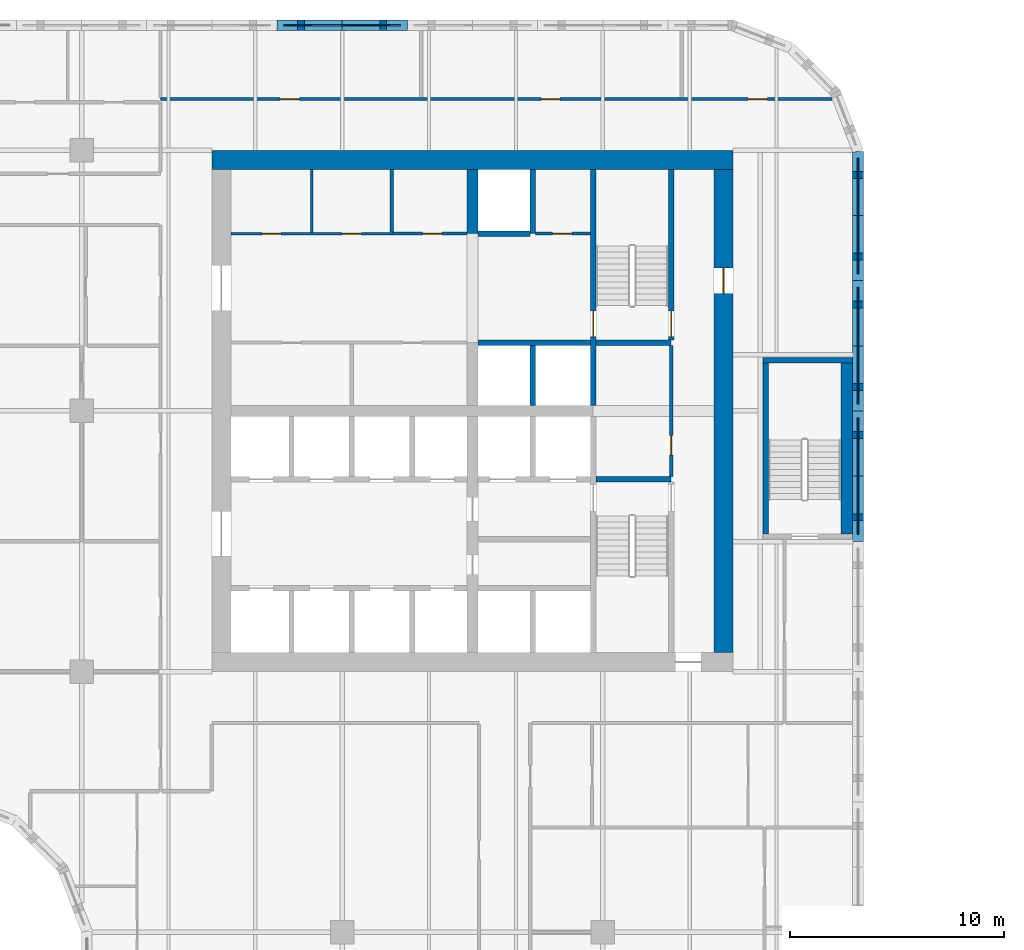
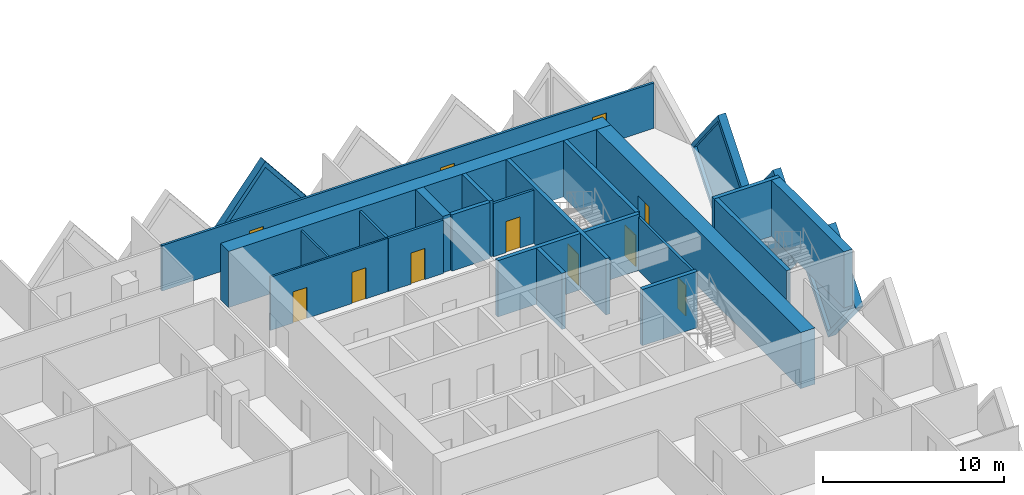
# One storey, part 10 of 19: 25 walls, 11 doors, 4 plates, 15 openings.
"""IFC4 building model written with IfcOpenShell, lengths in metres."""

import ifcopenshell
import ifcopenshell.guid

model = None  # the IFC model being written
_history = None  # IfcOwnerHistory: only IFC2X3 demands one
_inside = {}  # id of a spatial element -> (the spatial element, [elements in it])
_under = {}  # id of a project, library or spatial element -> (it, [spatial elements below it])
_declared = {}  # id of a project -> (the project, [libraries it declares])
_typed = {}  # id of a type object -> (the type object, [elements of that type])
_made_of = {}  # id of a material, layer set ... -> (it, [elements and type objects made of it])


def new_model(schema):
    """Start an empty IFC model of exactly this schema.

    Asked for "IFC4X3", IfcOpenShell would pick the latest addendum, in which some entities
    have other attributes; the version numbers below select the first issue.
    IFC2X3 requires an IfcOwnerHistory on every rooted entity: one is made here for all.
    """
    global model, _history
    if schema == "IFC4X3":
        model = ifcopenshell.file(schema_version=(4, 3, 0, 0))
    else:
        model = ifcopenshell.file(schema=schema)
    _inside.clear()
    _under.clear()
    _declared.clear()
    _typed.clear()
    _made_of.clear()
    _history = None
    if model.schema == "IFC2X3":
        org = make("IfcOrganization", Name="unknown")
        user = make(
            "IfcPersonAndOrganization",
            ThePerson=make("IfcPerson", FamilyName="unknown"),
            TheOrganization=org,
        )
        app = make(
            "IfcApplication",
            ApplicationDeveloper=org,
            Version="unknown",
            ApplicationFullName="unknown",
            ApplicationIdentifier="unknown",
        )
        _history = make(
            "IfcOwnerHistory",
            OwningUser=user,
            OwningApplication=app,
            ChangeAction="ADDED",
            CreationDate=0,
        )
    return model


def make(cls, **values):
    """One entity of the class cls with the attributes given. An attribute that is None is left unset."""
    return model.create_entity(
        cls, **{name: value for name, value in values.items() if value is not None}
    )


def rooted(cls, **values):
    """An entity with a GlobalId (a new one), such as an element, a storey or a relation."""
    return make(cls, GlobalId=ifcopenshell.guid.new(), OwnerHistory=_history, **values)


def si_unit(unit_type, name, prefix=None):
    """IfcSIUnit, for example si_unit("LENGTHUNIT", "METRE", prefix="MILLI")."""
    return make("IfcSIUnit", UnitType=unit_type, Prefix=prefix, Name=name)


def assignment(units):
    """IfcUnitAssignment: the units of a project."""
    return None if units is None else make("IfcUnitAssignment", Units=units)


def point(xyz):
    """IfcCartesianPoint."""
    return None if xyz is None else make("IfcCartesianPoint", Coordinates=xyz)


def direction(xyz):
    """IfcDirection."""
    return None if xyz is None else make("IfcDirection", DirectionRatios=xyz)


def frame(location, z_axis=None, x_axis=None):
    """IfcAxis2Placement3D, a coordinate frame: its origin and axes. An axis left out is left unset."""
    return make(
        "IfcAxis2Placement3D",
        Location=point(location),
        Axis=direction(z_axis),
        RefDirection=direction(x_axis),
    )


def frame_2d(location, x_axis=None):
    """IfcAxis2Placement2D, a coordinate frame in the plane: its origin and x axis."""
    return make(
        "IfcAxis2Placement2D", Location=point(location), RefDirection=direction(x_axis)
    )


def origin():
    """The frame at (0, 0, 0) with its axes left unset."""
    return frame((0.0, 0.0, 0.0))


def place(relative_to, where):
    """IfcLocalPlacement: puts the frame where relative to a parent placement (None: the world)."""
    return make(
        "IfcLocalPlacement", PlacementRelTo=relative_to, RelativePlacement=where
    )


def context(
    kind, dimensions, precision=None, world=None, true_north=None, identifier=None
):
    """IfcGeometricRepresentationContext, for example the 3D "Model" context."""
    return make(
        "IfcGeometricRepresentationContext",
        ContextIdentifier=identifier,
        ContextType=kind,
        CoordinateSpaceDimension=dimensions,
        Precision=precision,
        WorldCoordinateSystem=world,
        TrueNorth=true_north,
    )


def subcontext(parent, identifier, kind, view, scale=None):
    """IfcGeometricRepresentationSubContext, for example "Body" below "Model"."""
    return make(
        "IfcGeometricRepresentationSubContext",
        ContextIdentifier=identifier,
        ContextType=kind,
        ParentContext=parent,
        TargetScale=scale,
        TargetView=view,
    )


def project(units=None, contexts=None):
    """IfcProject with its units and contexts."""
    return rooted(
        "IfcProject",
        Name="project",
        RepresentationContexts=contexts,
        UnitsInContext=assignment(units),
    )


def spatial(cls, under=None, at=None, **own):
    """A site, building, storey or space (cls), placed at a placement, below another one or the project."""
    s = rooted(cls, ObjectPlacement=at, **own)
    if under is not None:
        _under.setdefault(under.id(), (under, []))[1].append(s)
    return s


def polyline(points):
    """IfcPolyline through the points."""
    return make("IfcPolyline", Points=[point(p) for p in points])


def profile(cls, at=None, kind="AREA", **sizes):
    """A parametric profile (cls). Its sizes go by their IFC names, for example OverallWidth=200.0."""
    return make(cls, ProfileType=kind, Position=at, **sizes)


def rectangle(**sizes):
    """IfcRectangleProfileDef."""
    return profile("IfcRectangleProfileDef", **sizes)


def outline(outer, holes=None, kind="AREA"):
    """IfcArbitraryClosedProfileDef: a profile drawn as a closed curve; with holes, ...WithVoids."""
    if holes is None:
        return make("IfcArbitraryClosedProfileDef", ProfileType=kind, OuterCurve=outer)
    return make(
        "IfcArbitraryProfileDefWithVoids",
        ProfileType=kind,
        OuterCurve=outer,
        InnerCurves=holes,
    )


def extrude(swept, where, along, depth):
    """IfcExtrudedAreaSolid: the profile swept, set in the frame where, extruded along a direction by depth."""
    return make(
        "IfcExtrudedAreaSolid",
        SweptArea=swept,
        Position=where,
        ExtrudedDirection=direction(along),
        Depth=depth,
    )


def faces_of(points, faces, orient=None, outer=None):
    """IfcFace entities. A face is a list of loops; a loop is a list of indices into points, from 0.

    orient and outer hold one flag for each loop. By default every Orientation is true, the
    first loop of a face is its IfcFaceOuterBound and the others are IfcFaceBound.
    """
    made = []
    for i, loops in enumerate(faces):
        bounds = []
        for j, loop in enumerate(loops):
            is_outer = j == 0 if outer is None else outer[i][j]
            bounds.append(
                make(
                    "IfcFaceOuterBound" if is_outer else "IfcFaceBound",
                    Bound=make("IfcPolyLoop", Polygon=[points[k] for k in loop]),
                    Orientation=True if orient is None else orient[i][j],
                )
            )
        made.append(make("IfcFace", Bounds=bounds))
    return made


def faceted_brep(points, faces, orient=None, outer=None, voids=None):
    """IfcFacetedBrep: a solid bounded by flat faces; with voids (closed shells), ...WithVoids."""
    shared = [point(p) for p in points]
    hull = make("IfcClosedShell", CfsFaces=faces_of(shared, faces, orient, outer))
    if voids is None:
        return make("IfcFacetedBrep", Outer=hull)
    return make(
        "IfcFacetedBrepWithVoids",
        Outer=hull,
        Voids=[
            make(cls, CfsFaces=faces_of(shared, fs, o, b)) for cls, fs, o, b in voids
        ],
    )


def shape(context_of_items, identifier, shape_type, items):
    """IfcShapeRepresentation: the items that make up one representation, for example the "Body"."""
    return make(
        "IfcShapeRepresentation",
        ContextOfItems=context_of_items,
        RepresentationIdentifier=identifier,
        RepresentationType=shape_type,
        Items=items,
    )


def source(mapping_origin, context_of_items, identifier, shape_type, items):
    """IfcRepresentationMap: a shape defined once, which mapped items show again and again."""
    return make(
        "IfcRepresentationMap",
        MappingOrigin=mapping_origin,
        MappedRepresentation=shape(context_of_items, identifier, shape_type, items),
    )


def transform(
    local_origin,
    x_axis=None,
    y_axis=None,
    z_axis=None,
    scale=None,
    scale2=None,
    scale3=None,
    uniform=True,
):
    """IfcCartesianTransformationOperator3D, or its non-uniform kind. x_axis, y_axis, z_axis: its Axis1, 2, 3."""
    if uniform:
        return make(
            "IfcCartesianTransformationOperator3D",
            Axis1=direction(x_axis),
            Axis2=direction(y_axis),
            LocalOrigin=point(local_origin),
            Scale=scale,
            Axis3=direction(z_axis),
        )
    return make(
        "IfcCartesianTransformationOperator3DnonUniform",
        Axis1=direction(x_axis),
        Axis2=direction(y_axis),
        LocalOrigin=point(local_origin),
        Scale=scale,
        Axis3=direction(z_axis),
        Scale2=scale2,
        Scale3=scale3,
    )


def mapped(mapping_source, mapping_target):
    """IfcMappedItem: shows the shape of a source again, moved by a transform."""
    return make(
        "IfcMappedItem", MappingSource=mapping_source, MappingTarget=mapping_target
    )


def material(Name=None, Category=None):
    """IfcMaterial."""
    return make("IfcMaterial", Name=Name, Category=Category)


def layer(
    of_material, thickness, ventilated=None, Name=None, Category=None, Priority=None
):
    """IfcMaterialLayer: one layer of a wall or slab, of a material (None: an air gap)."""
    return make(
        "IfcMaterialLayer",
        Material=of_material,
        LayerThickness=thickness,
        IsVentilated=ventilated,
        Name=Name,
        Category=Category,
        Priority=Priority,
    )


def layer_set(layers, Name=None):
    """IfcMaterialLayerSet."""
    return make("IfcMaterialLayerSet", MaterialLayers=layers, LayerSetName=Name)


def made_of(thing, what):
    """Note that an element or type object is made of a material, layer set ...; save() writes the relation."""
    if what is not None:
        _made_of.setdefault(what.id(), (what, []))[1].append(thing)
    return thing


def type_object(cls, material=None, **own):
    """A type object (cls), such as IfcWallType, which elements share."""
    return made_of(rooted(cls, **own), material)


def element(
    cls,
    number,
    at=None,
    inside=None,
    cuts=None,
    type_object=None,
    material=None,
    context=None,
    identifier="Body",
    shape_type=None,
    held_by="IfcProductDefinitionShape",
    body=None,
    shapes=None,
    **own,
):
    """One element of the class cls, such as IfcWall. Its Tag is "e" and its number.

    at: its placement. inside: the storey or other place that contains it. cuts: it is an
    opening in that element (IfcRelVoidsElement). A single representation is given by context,
    identifier, shape_type and body (its items); several are given by shapes. held_by: the class
    of the entity that holds the representations. save() writes the other relations.
    """
    e = rooted(cls, Tag="e%d" % number, ObjectPlacement=at, **own)
    if body is not None:
        shapes = [shape(context, identifier, shape_type, body)]
    if shapes is not None:
        e.Representation = make(held_by, Representations=shapes)
    if inside is not None:
        _inside.setdefault(inside.id(), (inside, []))[1].append(e)
    if cuts is not None:
        rooted(
            "IfcRelVoidsElement", RelatingBuildingElement=cuts, RelatedOpeningElement=e
        )
    if type_object is not None:
        _typed.setdefault(type_object.id(), (type_object, []))[1].append(e)
    return made_of(e, material)


def fill(opening, filler):
    """IfcRelFillsElement: the door or window that sits in an opening."""
    return rooted(
        "IfcRelFillsElement",
        RelatingOpeningElement=opening,
        RelatedBuildingElement=filler,
    )


def aggregate(whole, parts):
    """IfcRelAggregates: a whole, such as a stair, and the parts it consists of."""
    return rooted("IfcRelAggregates", RelatingObject=whole, RelatedObjects=parts)


def save(model, path):
    """Write the relations noted so far, then the file.

    IfcRelAggregates (storeys below a building ...), IfcRelContainedInSpatialStructure (elements
    in a storey), IfcRelDefinesByType, IfcRelAssociatesMaterial and IfcRelDeclares: one each for
    every whole, place, type object, material and project.
    """
    for whole, parts in _under.values():
        aggregate(whole, parts)
    for where, things in _inside.values():
        rooted(
            "IfcRelContainedInSpatialStructure",
            RelatedElements=things,
            RelatingStructure=where,
        )
    for kind, things in _typed.values():
        rooted("IfcRelDefinesByType", RelatedObjects=things, RelatingType=kind)
    for what, things in _made_of.values():
        rooted("IfcRelAssociatesMaterial", RelatedObjects=things, RelatingMaterial=what)
    for by, libraries in _declared.values():
        rooted("IfcRelDeclares", RelatingContext=by, RelatedDefinitions=libraries)
    model.write(path)


model = new_model("IFC4")

# Units and contexts
model_context = context("Model", 3, precision=1e-05, world=origin(), true_north=direction((0.0, 1.0)))
body_context = subcontext(model_context, "Body", "Model", "MODEL_VIEW")
ifc_project = project(units=[si_unit("LENGTHUNIT", "METRE"), si_unit("AREAUNIT", "SQUARE_METRE"), si_unit("VOLUMEUNIT", "CUBIC_METRE"), si_unit("PLANEANGLEUNIT", "RADIAN"), si_unit("MASSUNIT", "GRAM", prefix="KILO")], contexts=[model_context])

# Site, building, storey
site_placement = place(None, origin())
site = spatial("IfcSite", under=ifc_project, at=site_placement, CompositionType="ELEMENT")
building_placement = place(site_placement, origin())
building = spatial("IfcBuilding", under=site, at=building_placement, Name="Tessera Gate Towers", CompositionType="ELEMENT")
storey_placement = place(building_placement, frame((0.0, 0.0, 33.39990234375)))
storey = spatial("IfcBuildingStorey", under=building, at=storey_placement, Name="L07", CompositionType="ELEMENT", Elevation=33.39990234375)

# Wall, opening, door
ifc_material_1 = material(Name="Concrete C40/50", Category="concrete")
ifc_layer_1 = layer(ifc_material_1, 0.25)
ifc_layer_set_1 = layer_set([ifc_layer_1], Name="CORE ENCLOSURE WALL 250")
wall_type_1 = type_object("IfcWallType", Name="CORE ENCLOSURE WALL 250", PredefinedType="SOLIDWALL", material=ifc_layer_set_1)
wall_1_placement = place(storey_placement, frame((48.35009765625, 47.89990234375, 0.0), z_axis=(0.0, 0.0, 1.0), x_axis=(0.0, -1.0, 0.0)))
wall_1 = element("IfcWall", 1, at=wall_1_placement, inside=storey, type_object=wall_type_1, Name="L07 shaft and stair enclosure wall", PredefinedType="SOLIDWALL", context=body_context, shape_type="SweptSolid", body=[
    extrude(rectangle(XDim=11.0498046875, YDim=0.25, at=frame_2d((5.52490234375, 0.0))), origin(), (0.0, 0.0, 1.0), 3.800048828125),
])
shared_shape_1 = source(origin(), body_context, "Body", "SweptSolid", [
    extrude(rectangle(XDim=1.199951171875, YDim=2.10009765625, at=frame_2d((0.60009765625, 1.050048828125))), frame((0.0, 0.135009765625, 0.0), z_axis=(0.0, -1.0, 0.0), x_axis=(1.0, 0.0, 0.0)), (0.0, 0.0, 1.0), 0.27001953125),
])
opening_1_placement = place(wall_1_placement, frame((6.625, 0.0, 0.0)))
opening_1 = element("IfcOpeningElement", 2, at=opening_1_placement, cuts=wall_1, Name="Opening SD-ST2-1", PredefinedType="OPENING", context=body_context, shape_type="MappedRepresentation", body=[
    mapped(shared_shape_1, transform((0.0, 0.0, 0.0), scale=1.0)),
])
ifc_material_2 = material(Name="Hollow steel fire door", Category="steel")
door_type_1 = type_object("IfcDoorType", Name="CORE DOOR SD 1200x2100", OperationType="NOTDEFINED", PredefinedType="DOOR", material=ifc_material_2)
shared_shape_2 = source(origin(), body_context, "Body", "SweptSolid", [
    extrude(rectangle(XDim=1.199951171875, YDim=2.10009765625, at=frame_2d((0.60009765625, 1.050048828125))), frame((0.0, 0.02490234375, 0.0), z_axis=(0.0, -1.0, 0.0), x_axis=(1.0, 0.0, 0.0)), (0.0, 0.0, 1.0), 0.050048828125),
])
door_1_placement = place(opening_1_placement, origin())
door_1 = element("IfcDoor", 3, at=door_1_placement, inside=storey, type_object=door_type_1, Name="Stair door", OperationType="SINGLE_SWING_RIGHT", OverallHeight=2.10009765625, OverallWidth=1.199951171875, PredefinedType="DOOR", context=body_context, shape_type="MappedRepresentation", body=[
    mapped(shared_shape_2, transform((0.0, 0.0, 0.0), scale=1.0)),
])
fill(opening_1, door_1)

# Walls
wall_2_placement = place(storey_placement, frame((48.47509765625, 33.39990234375, 0.0), z_axis=(0.0, 0.0, 1.0), x_axis=(1.0, 0.0, 0.0)))
element("IfcWall", 4, at=wall_2_placement, inside=storey, type_object=wall_type_1, Name="L07 shaft and stair enclosure wall", PredefinedType="SOLIDWALL", context=body_context, shape_type="SweptSolid", body=[
    extrude(rectangle(XDim=3.52490234375, YDim=0.25, at=frame_2d((1.762451171875, 0.0))), origin(), (0.0, 0.0, 1.0), 3.800048828125),
])
wall_3_placement = place(storey_placement, frame((42.949951171875, 39.800048828125, 0.0), z_axis=(0.0, 0.0, 1.0), x_axis=(1.0, 0.0, 0.0)))
element("IfcWall", 5, at=wall_3_placement, inside=storey, type_object=wall_type_1, Name="L07 shaft and stair enclosure wall", PredefinedType="SOLIDWALL", context=body_context, shape_type="SweptSolid", body=[
    extrude(rectangle(XDim=5.275146484375, YDim=0.25, at=frame_2d((2.6376953125, 0.0))), origin(), (0.0, 0.0, 1.0), 3.800048828125),
])
wall_4_placement = place(storey_placement, frame((48.47509765625, 39.800048828125, 0.0), z_axis=(0.0, 0.0, 1.0), x_axis=(1.0, 0.0, 0.0)))
element("IfcWall", 6, at=wall_4_placement, inside=storey, type_object=wall_type_1, Name="L07 shaft and stair enclosure wall", PredefinedType="SOLIDWALL", context=body_context, shape_type="SweptSolid", body=[
    extrude(rectangle(XDim=3.52490234375, YDim=0.25, at=frame_2d((1.762451171875, 0.0))), origin(), (0.0, 0.0, 1.0), 3.800048828125),
])

# Wall, opening, door
wall_5_placement = place(storey_placement, frame((52.0, 39.925048828125, 0.0), z_axis=(0.0, 0.0, 1.0), x_axis=(0.0, 1.0, 0.0)))
wall_5 = element("IfcWall", 7, at=wall_5_placement, inside=storey, type_object=wall_type_1, Name="L07 shaft and stair enclosure wall", PredefinedType="SOLIDWALL", context=body_context, shape_type="SweptSolid", body=[
    extrude(rectangle(XDim=7.974853515625, YDim=0.25, at=frame_2d((3.9873046875, 0.0))), origin(), (0.0, 0.0, 1.0), 3.800048828125),
])
opening_2_placement = place(wall_5_placement, frame((0.14990234375, 0.0, 0.0)))
opening_2 = element("IfcOpeningElement", 8, at=opening_2_placement, cuts=wall_5, Name="Opening SD-ST2-2", PredefinedType="OPENING", context=body_context, shape_type="MappedRepresentation", body=[
    mapped(shared_shape_1, transform((0.0, 0.0, 0.0), scale=1.0)),
])
door_2_placement = place(opening_2_placement, origin())
door_2 = element("IfcDoor", 9, at=door_2_placement, inside=storey, type_object=door_type_1, Name="Stair door", OperationType="SINGLE_SWING_LEFT", OverallHeight=2.10009765625, OverallWidth=1.199951171875, PredefinedType="DOOR", context=body_context, shape_type="MappedRepresentation", body=[
    mapped(shared_shape_2, transform((0.0, 0.0, 0.0), scale=1.0)),
])
fill(opening_2, door_2)

# Walls
wall_6_placement = place(storey_placement, frame((45.52490234375, 36.85009765625, 0.0), z_axis=(0.0, 0.0, 1.0), x_axis=(0.0, 1.0, 0.0)))
element("IfcWall", 10, at=wall_6_placement, inside=storey, type_object=wall_type_1, Name="L07 shaft and stair enclosure wall", PredefinedType="SOLIDWALL", context=body_context, shape_type="SweptSolid", body=[
    extrude(rectangle(XDim=2.824951171875, YDim=0.25, at=frame_2d((1.41259765625, 0.0))), origin(), (0.0, 0.0, 1.0), 3.800048828125),
])
wall_7_placement = place(storey_placement, frame((45.52490234375, 44.89990234375, 0.0), z_axis=(0.0, 0.0, 1.0), x_axis=(0.0, 1.0, 0.0)))
element("IfcWall", 11, at=wall_7_placement, inside=storey, type_object=wall_type_1, Name="L07 shaft and stair enclosure wall", PredefinedType="SOLIDWALL", context=body_context, shape_type="SweptSolid", body=[
    extrude(rectangle(XDim=3.0, YDim=0.25, at=frame_2d((1.5, 0.0))), origin(), (0.0, 0.0, 1.0), 3.800048828125),
])
wall_8_placement = place(storey_placement, frame((42.949951171875, 44.89990234375, 0.0), z_axis=(0.0, 0.0, 1.0), x_axis=(1.0, 0.0, 0.0)))
element("IfcWall", 12, at=wall_8_placement, inside=storey, type_object=wall_type_1, Name="L07 shaft and stair enclosure wall", PredefinedType="SOLIDWALL", context=body_context, shape_type="SweptSolid", body=[
    extrude(rectangle(XDim=2.449951171875, YDim=0.25, at=frame_2d((1.22509765625, 0.0))), origin(), (0.0, 0.0, 1.0), 3.800048828125),
])
wall_9_placement = place(storey_placement, frame((56.425048828125, 30.85009765625, 0.0), z_axis=(0.0, 0.0, 1.0), x_axis=(0.0, 1.0, 0.0)))
element("IfcWall", 13, at=wall_9_placement, inside=storey, type_object=wall_type_1, Name="L07 ST5 enclosure wall", PredefinedType="SOLIDWALL", context=body_context, shape_type="SweptSolid", body=[
    extrude(rectangle(XDim=8.0, YDim=0.25, at=frame_2d((4.0, 0.0))), origin(), (0.0, 0.0, 1.0), 3.800048828125),
])
wall_10_placement = place(storey_placement, frame((56.300048828125, 38.97509765625, 0.0), z_axis=(0.0, 0.0, 1.0), x_axis=(1.0, 0.0, 0.0)))
element("IfcWall", 14, at=wall_10_placement, inside=storey, type_object=wall_type_1, Name="L07 ST5 enclosure wall", PredefinedType="SOLIDWALL", context=body_context, shape_type="SweptSolid", body=[
    extrude(rectangle(XDim=4.199951171875, YDim=0.25, at=frame_2d((2.10009765625, 0.0))), origin(), (0.0, 0.0, 1.0), 3.800048828125),
])
ifc_material_3 = material(Name="Concrete C40/50", Category="concrete")
ifc_layer_2 = layer(ifc_material_3, 0.550048828125)
ifc_layer_set_2 = layer_set([ifc_layer_2], Name="CORE ENCLOSURE WALL 550")
wall_type_2 = type_object("IfcWallType", Name="CORE ENCLOSURE WALL 550", PredefinedType="SOLIDWALL", material=ifc_layer_set_2)
wall_11_placement = place(storey_placement, frame((60.22509765625, 38.85009765625, 0.0), z_axis=(0.0, 0.0, 1.0), x_axis=(0.0, -1.0, 0.0)))
element("IfcWall", 15, at=wall_11_placement, inside=storey, type_object=wall_type_2, Name="L07 ST5 enclosure wall", PredefinedType="SOLIDWALL", context=body_context, shape_type="SweptSolid", body=[
    extrude(rectangle(XDim=8.0, YDim=0.550048828125, at=frame_2d((4.0, 0.0))), origin(), (0.0, 0.0, 1.0), 3.800048828125),
])

# Wall, openings, doors
ifc_material_4 = material(Name="Gypsum board on steel studs", Category="steel")
ifc_layer_3 = layer(ifc_material_4, 0.1201171875)
ifc_layer_set_3 = layer_set([ifc_layer_3], Name="CORE PARTITION 120")
wall_type_3 = type_object("IfcWallType", Name="CORE PARTITION 120", PredefinedType="PARTITIONING", material=ifc_layer_set_3)
wall_12_placement = place(storey_placement, frame((31.39990234375, 44.89990234375, 0.0), z_axis=(0.0, 0.0, 1.0), x_axis=(1.0, 0.0, 0.0)))
wall_12 = element("IfcWall", 16, at=wall_12_placement, inside=storey, type_object=wall_type_3, Name="L07 core partition", PredefinedType="PARTITIONING", context=body_context, shape_type="SweptSolid", body=[
    extrude(rectangle(XDim=7.525146484375, YDim=0.1201171875, at=frame_2d((3.7626953125, 0.0))), origin(), (0.0, 0.0, 1.0), 3.60009765625),
])
shared_shape_3 = source(origin(), body_context, "Body", "SweptSolid", [
    extrude(rectangle(XDim=0.89990234375, YDim=2.10009765625, at=frame_2d((0.449951171875, 1.050048828125))), frame((0.0, 0.070068359375, 0.0), z_axis=(0.0, -1.0, 0.0), x_axis=(1.0, 0.0, 0.0)), (0.0, 0.0, 1.0), 0.14013671875),
])
opening_3_placement = place(wall_12_placement, frame((1.4375, 0.0, 0.0)))
opening_3 = element("IfcOpeningElement", 17, at=opening_3_placement, cuts=wall_12, Name="Opening RD-T1-07-09", PredefinedType="OPENING", context=body_context, shape_type="MappedRepresentation", body=[
    mapped(shared_shape_3, transform((0.0, 0.0, 0.0), scale=1.0)),
])
opening_4_placement = place(wall_12_placement, frame((5.199951171875, 0.0, 0.0)))
opening_4 = element("IfcOpeningElement", 18, at=opening_4_placement, cuts=wall_12, Name="Opening RD-T1-07-10", PredefinedType="OPENING", context=body_context, shape_type="MappedRepresentation", body=[
    mapped(shared_shape_3, transform((0.0, 0.0, 0.0), scale=1.0)),
])
ifc_material_5 = material(Name="Hollow steel fire door", Category="steel")
door_type_2 = type_object("IfcDoorType", Name="CORE DOOR RD 900x2100", OperationType="NOTDEFINED", PredefinedType="DOOR", material=ifc_material_5)
shared_shape_4 = source(origin(), body_context, "Body", "SweptSolid", [
    extrude(rectangle(XDim=0.89990234375, YDim=2.10009765625, at=frame_2d((0.449951171875, 1.050048828125))), frame((0.0, 0.02490234375, 0.0), z_axis=(0.0, -1.0, 0.0), x_axis=(1.0, 0.0, 0.0)), (0.0, 0.0, 1.0), 0.050048828125),
])
door_3_placement = place(opening_3_placement, origin())
door_3 = element("IfcDoor", 19, at=door_3_placement, inside=storey, type_object=door_type_2, Name="Core room door", OperationType="SINGLE_SWING_LEFT", OverallHeight=2.10009765625, OverallWidth=0.89990234375, PredefinedType="DOOR", context=body_context, shape_type="MappedRepresentation", body=[
    mapped(shared_shape_4, transform((0.0, 0.0, 0.0), scale=1.0)),
])
fill(opening_3, door_3)
door_4_placement = place(opening_4_placement, origin())
door_4 = element("IfcDoor", 20, at=door_4_placement, inside=storey, type_object=door_type_2, Name="Core room door", OperationType="SINGLE_SWING_RIGHT", OverallHeight=2.10009765625, OverallWidth=0.89990234375, PredefinedType="DOOR", context=body_context, shape_type="MappedRepresentation", body=[
    mapped(shared_shape_4, transform((0.0, 0.0, 0.0), scale=1.0)),
])
fill(opening_4, door_4)

# Walls
wall_13_placement = place(storey_placement, frame((35.175048828125, 44.9599609375, 0.0), z_axis=(0.0, 0.0, 1.0), x_axis=(0.0, 1.0, 0.0)))
element("IfcWall", 21, at=wall_13_placement, inside=storey, type_object=wall_type_3, Name="L07 core partition", PredefinedType="PARTITIONING", context=body_context, shape_type="SweptSolid", body=[
    extrude(rectangle(XDim=2.93994140625, YDim=0.1201171875, at=frame_2d((1.469970703125, 0.0))), origin(), (0.0, 0.0, 1.0), 3.60009765625),
])
ifc_material_6 = material(Name="Concrete C70/85", Category="concrete")
ifc_layer_4 = layer(ifc_material_6, 0.89990234375)
ifc_layer_set_4 = layer_set([ifc_layer_4], Name="CORE SHEAR WALL 900 C70/85")
wall_type_4 = type_object("IfcWallType", Name="CORE SHEAR WALL 900 C70/85", PredefinedType="SHEAR", material=ifc_layer_set_4)
wall_14_placement = place(storey_placement, frame((30.5, 48.35009765625, 0.0), z_axis=(0.0, 0.0, 1.0), x_axis=(1.0, 0.0, 0.0)))
element("IfcWall", 22, at=wall_14_placement, inside=storey, type_object=wall_type_4, Name="Core wall N L07", PredefinedType="SHEAR", context=body_context, shape_type="SweptSolid", body=[
    extrude(rectangle(XDim=24.39990234375, YDim=0.89990234375, at=frame_2d((12.199951171875, 0.0))), origin(), (0.0, 0.0, 1.0), 3.800048828125),
])

# Wall, opening, door
wall_15_placement = place(storey_placement, frame((54.449951171875, 47.89990234375, 0.0), z_axis=(0.0, 0.0, 1.0), x_axis=(0.0, -1.0, 0.0)))
wall_15 = element("IfcWall", 23, at=wall_15_placement, inside=storey, type_object=wall_type_4, Name="Core wall E L07", PredefinedType="SHEAR", context=body_context, shape_type="SweptSolid", body=[
    extrude(rectangle(XDim=22.599853515625, YDim=0.89990234375, at=frame_2d((11.2998046875, 0.0))), origin(), (0.0, 0.0, 1.0), 3.800048828125),
])
shared_shape_5 = source(origin(), body_context, "Body", "SweptSolid", [
    extrude(rectangle(XDim=1.199951171875, YDim=2.10009765625, at=frame_2d((0.60009765625, 1.050048828125))), frame((0.0, 0.4599609375, 0.0), z_axis=(0.0, -1.0, 0.0), x_axis=(1.0, 0.0, 0.0)), (0.0, 0.0, 1.0), 0.919921875),
])
opening_5_placement = place(wall_15_placement, frame((4.60009765625, 0.0, 0.0)))
opening_5 = element("IfcOpeningElement", 24, at=opening_5_placement, cuts=wall_15, Name="Opening ED-T1-07-04", PredefinedType="OPENING", context=body_context, shape_type="MappedRepresentation", body=[
    mapped(shared_shape_5, transform((0.0, 0.0, 0.0), scale=1.0)),
])
ifc_material_7 = material(Name="Hollow steel fire door", Category="steel")
door_type_3 = type_object("IfcDoorType", Name="CORE DOOR ED 1200x2100", OperationType="NOTDEFINED", PredefinedType="DOOR", material=ifc_material_7)
door_5_placement = place(opening_5_placement, origin())
door_5 = element("IfcDoor", 25, at=door_5_placement, inside=storey, type_object=door_type_3, Name="Core exit door", OperationType="SINGLE_SWING_LEFT", OverallHeight=2.10009765625, OverallWidth=1.199951171875, PredefinedType="DOOR", context=body_context, shape_type="MappedRepresentation", body=[
    mapped(shared_shape_2, transform((0.0, 0.0, 0.0), scale=1.0)),
])
fill(opening_5, door_5)

# Wall
ifc_material_8 = material(Name="Concrete C70/85", Category="concrete")
ifc_layer_5 = layer(ifc_material_8, 0.5)
ifc_layer_set_5 = layer_set([ifc_layer_5], Name="CORE SPINE WALL 500 C70/85")
wall_type_5 = type_object("IfcWallType", Name="CORE SPINE WALL 500 C70/85", PredefinedType="SHEAR", material=ifc_layer_set_5)
wall_16_placement = place(storey_placement, frame((42.699951171875, 44.89990234375, 0.0), z_axis=(0.0, 0.0, 1.0), x_axis=(0.0, 1.0, 0.0)))
element("IfcWall", 26, at=wall_16_placement, inside=storey, type_object=wall_type_5, Name="Core wall spine L07", PredefinedType="SHEAR", context=body_context, shape_type="SweptSolid", body=[
    extrude(rectangle(XDim=3.0, YDim=0.5, at=frame_2d((1.5, 0.0))), origin(), (0.0, 0.0, 1.0), 3.800048828125),
])

# Wall, openings, doors
ifc_material_9 = material(Name="Gypsum board on steel studs, mineral wool", Category="steel")
ifc_layer_6 = layer(ifc_material_9, 0.14990234375)
ifc_layer_set_6 = layer_set([ifc_layer_6], Name="CORRIDOR WALL 150")
wall_type_6 = type_object("IfcWallType", Name="CORRIDOR WALL 150", PredefinedType="PARTITIONING", material=ifc_layer_set_6)
wall_17_placement = place(storey_placement, frame((28.10009765625, 51.199951171875, 0.0), z_axis=(0.0, 0.0, 1.0), x_axis=(1.0, 0.0, 0.0)))
wall_17 = element("IfcWall", 27, at=wall_17_placement, inside=storey, type_object=wall_type_6, Name="T1-L07-PW-054", PredefinedType="PARTITIONING", context=body_context, shape_type="SweptSolid", body=[
    extrude(rectangle(XDim=31.438232421875, YDim=0.14990234375, at=frame_2d((15.71923828125, 0.0))), origin(), (0.0, 0.0, 1.0), 3.067138671875),
])
shared_shape_6 = source(origin(), body_context, "Body", "SweptSolid", [
    extrude(rectangle(XDim=0.89990234375, YDim=2.10009765625, at=frame_2d((0.449951171875, 1.050048828125))), frame((0.0, 0.0849609375, 0.0), z_axis=(0.0, -1.0, 0.0), x_axis=(1.0, 0.0, 0.0)), (0.0, 0.0, 1.0), 0.169921875),
])
opening_6_placement = place(wall_17_placement, frame((27.5009765625, 0.0, 0.0)))
opening_6 = element("IfcOpeningElement", 28, at=opening_6_placement, cuts=wall_17, Name="Opening D890FD60-A02-04", PredefinedType="OPENING", context=body_context, shape_type="MappedRepresentation", body=[
    mapped(shared_shape_6, transform((0.0, 0.0, 0.0), scale=1.0)),
])
opening_7_placement = place(wall_17_placement, frame((5.60009765625, 0.0, 0.0)))
opening_7 = element("IfcOpeningElement", 29, at=opening_7_placement, cuts=wall_17, Name="Opening D890FD60-A02-07", PredefinedType="OPENING", context=body_context, shape_type="MappedRepresentation", body=[
    mapped(shared_shape_6, transform((0.0, 0.0, 0.0), scale=1.0)),
])
opening_8_placement = place(wall_17_placement, frame((17.800048828125, 0.0, 0.0)))
opening_8 = element("IfcOpeningElement", 30, at=opening_8_placement, cuts=wall_17, Name="Opening D890FD60-A02-08", PredefinedType="OPENING", context=body_context, shape_type="MappedRepresentation", body=[
    mapped(shared_shape_6, transform((0.0, 0.0, 0.0), scale=1.0)),
])
ifc_material_10 = material(Name="Timber door leaf in steel frame", Category="steel")
door_type_4 = type_object("IfcDoorType", Name="CORRIDOR DOOR 900 FD60", OperationType="NOTDEFINED", PredefinedType="DOOR", material=ifc_material_10)
door_6_placement = place(opening_6_placement, origin())
door_6 = element("IfcDoor", 31, at=door_6_placement, inside=storey, type_object=door_type_4, Name="T1-L07-PD-021", OperationType="SINGLE_SWING_LEFT", OverallHeight=2.10009765625, OverallWidth=0.89990234375, PredefinedType="DOOR", context=body_context, shape_type="MappedRepresentation", body=[
    mapped(shared_shape_4, transform((0.0, 0.0, 0.0), scale=1.0)),
])
fill(opening_6, door_6)
door_7_placement = place(opening_7_placement, origin())
door_7 = element("IfcDoor", 32, at=door_7_placement, inside=storey, type_object=door_type_4, Name="T1-L07-PD-028", OperationType="SINGLE_SWING_LEFT", OverallHeight=2.10009765625, OverallWidth=0.89990234375, PredefinedType="DOOR", context=body_context, shape_type="MappedRepresentation", body=[
    mapped(shared_shape_4, transform((0.0, 0.0, 0.0), scale=1.0)),
])
fill(opening_7, door_7)
door_8_placement = place(opening_8_placement, origin())
door_8 = element("IfcDoor", 33, at=door_8_placement, inside=storey, type_object=door_type_4, Name="T1-L07-PD-030", OperationType="SINGLE_SWING_LEFT", OverallHeight=2.10009765625, OverallWidth=0.89990234375, PredefinedType="DOOR", context=body_context, shape_type="MappedRepresentation", body=[
    mapped(shared_shape_4, transform((0.0, 0.0, 0.0), scale=1.0)),
])
fill(opening_8, door_8)

# Wall, opening, door
ifc_material_11 = material(Name="Gypsum board on steel studs", Category="steel")
ifc_layer_7 = layer(ifc_material_11, 0.14990234375)
ifc_layer_set_7 = layer_set([ifc_layer_7], Name="SERVICE ROOM WALL 150")
wall_type_7 = type_object("IfcWallType", Name="SERVICE ROOM WALL 150", PredefinedType="PARTITIONING", material=ifc_layer_set_7)
wall_18_placement = place(storey_placement, frame((52.0, 33.52490234375, 0.0), z_axis=(0.0, 0.0, 1.0), x_axis=(0.0, 1.0, 0.0)))
wall_18 = element("IfcWall", 34, at=wall_18_placement, inside=storey, type_object=wall_type_7, Name="L07 service room wall", PredefinedType="PARTITIONING", context=body_context, shape_type="SweptSolid", body=[
    extrude(rectangle(XDim=6.150146484375, YDim=0.14990234375, at=frame_2d((3.0751953125, 0.0))), origin(), (0.0, 0.0, 1.0), 3.60009765625),
])
opening_9_placement = place(wall_18_placement, frame((1.02490234375, 0.0, 0.0)))
opening_9 = element("IfcOpeningElement", 35, at=opening_9_placement, cuts=wall_18, Name="Opening RD-T1-07-11", PredefinedType="OPENING", context=body_context, shape_type="MappedRepresentation", body=[
    mapped(shared_shape_6, transform((0.0, 0.0, 0.0), scale=1.0)),
])
door_9_placement = place(opening_9_placement, origin())
door_9 = element("IfcDoor", 36, at=door_9_placement, inside=storey, type_object=door_type_2, Name="Core room door", OperationType="SINGLE_SWING_LEFT", OverallHeight=2.10009765625, OverallWidth=0.89990234375, PredefinedType="DOOR", context=body_context, shape_type="MappedRepresentation", body=[
    mapped(shared_shape_4, transform((0.0, 0.0, 0.0), scale=1.0)),
])
fill(opening_9, door_9)

wall_19_placement = place(storey_placement, frame((38.925048828125, 44.89990234375, 0.0), z_axis=(0.0, 0.0, 1.0), x_axis=(1.0, 0.0, 0.0)))
wall_19 = element("IfcWall", 37, at=wall_19_placement, inside=storey, type_object=wall_type_7, Name="L07 service room wall", PredefinedType="PARTITIONING", context=body_context, shape_type="SweptSolid", body=[
    extrude(rectangle(XDim=3.52490234375, YDim=0.14990234375, at=frame_2d((1.762451171875, 0.0))), origin(), (0.0, 0.0, 1.0), 3.60009765625),
])
opening_10_placement = place(wall_19_placement, frame((1.4375, 0.0, 0.0)))
opening_10 = element("IfcOpeningElement", 38, at=opening_10_placement, cuts=wall_19, Name="Opening RD-T1-07-12", PredefinedType="OPENING", context=body_context, shape_type="MappedRepresentation", body=[
    mapped(shared_shape_6, transform((0.0, 0.0, 0.0), scale=1.0)),
])
door_10_placement = place(opening_10_placement, origin())
door_10 = element("IfcDoor", 39, at=door_10_placement, inside=storey, type_object=door_type_2, Name="Core room door", OperationType="SINGLE_SWING_RIGHT", OverallHeight=2.10009765625, OverallWidth=0.89990234375, PredefinedType="DOOR", context=body_context, shape_type="MappedRepresentation", body=[
    mapped(shared_shape_4, transform((0.0, 0.0, 0.0), scale=1.0)),
])
fill(opening_10, door_10)

# Wall
wall_20_placement = place(storey_placement, frame((38.925048828125, 44.97509765625, 0.0), z_axis=(0.0, 0.0, 1.0), x_axis=(0.0, 1.0, 0.0)))
element("IfcWall", 40, at=wall_20_placement, inside=storey, type_object=wall_type_7, Name="L07 service room wall", PredefinedType="PARTITIONING", context=body_context, shape_type="SweptSolid", body=[
    extrude(rectangle(XDim=2.9248046875, YDim=0.14990234375, at=frame_2d((1.46240234375, 0.0))), origin(), (0.0, 0.0, 1.0), 3.60009765625),
])

# Wall, opening, door
wall_21_placement = place(storey_placement, frame((45.64990234375, 44.89990234375, 0.0), z_axis=(0.0, 0.0, 1.0), x_axis=(1.0, 0.0, 0.0)))
wall_21 = element("IfcWall", 41, at=wall_21_placement, inside=storey, type_object=wall_type_7, Name="L07 service room wall", PredefinedType="PARTITIONING", context=body_context, shape_type="SweptSolid", body=[
    extrude(rectangle(XDim=2.5751953125, YDim=0.14990234375, at=frame_2d((1.28759765625, 0.0))), origin(), (0.0, 0.0, 1.0), 3.60009765625),
])
opening_11_placement = place(wall_21_placement, frame((0.800048828125, 0.0, 0.0)))
opening_11 = element("IfcOpeningElement", 42, at=opening_11_placement, cuts=wall_21, Name="Opening RD-T1-07-13", PredefinedType="OPENING", context=body_context, shape_type="MappedRepresentation", body=[
    mapped(shared_shape_6, transform((0.0, 0.0, 0.0), scale=1.0)),
])
door_11_placement = place(opening_11_placement, origin())
door_11 = element("IfcDoor", 43, at=door_11_placement, inside=storey, type_object=door_type_2, Name="Core room door", OperationType="SINGLE_SWING_LEFT", OverallHeight=2.10009765625, OverallWidth=0.89990234375, PredefinedType="DOOR", context=body_context, shape_type="MappedRepresentation", body=[
    mapped(shared_shape_4, transform((0.0, 0.0, 0.0), scale=1.0)),
])
fill(opening_11, door_11)

# Wall, opening, plate
ifc_material_12 = material(Name="Precast concrete C60/75 white", Category="concrete")
ifc_layer_8 = layer(ifc_material_12, 0.5)
ifc_layer_set_8 = layer_set([ifc_layer_8], Name="TS1 tessera")
wall_type_8 = type_object("IfcWallType", Name="TS1 tessera", PredefinedType="SOLIDWALL", material=ifc_layer_set_8)
shared_shape_7 = source(origin(), body_context, "Body", "Brep", [
    faceted_brep([(3.050048828125, -0.25, 0.0), (6.099853515625, -0.25, 3.799560546875), (6.099853515625, -0.25, 3.800048828125), (3.050048828125, -0.25, 7.599853515625), (0.0, -0.25, 3.7998046875), (0.0, 0.25, 3.7998046875), (3.050048828125, 0.25, 7.599853515625), (6.099853515625, 0.25, 3.800048828125), (6.099853515625, 0.25, 3.799560546875), (3.050048828125, 0.25, 0.0)], [[[0, 1, 2, 3, 4]], [[5, 6, 7, 8, 9]], [[9, 8, 1, 0]], [[7, 6, 3, 2]], [[6, 5, 4, 3]], [[5, 9, 0, 4]], [[1, 8, 7, 2]]]),
])
wall_22_placement = place(storey_placement, frame((60.75, 36.60009765625, -3.7998046875), z_axis=(0.0, 0.0, 1.0), x_axis=(0.0, 1.0, 0.0)))
wall_22 = element("IfcWall", 44, at=wall_22_placement, inside=storey, type_object=wall_type_8, Name="Precast tessera T1 TS1-0054", PredefinedType="SOLIDWALL", context=body_context, shape_type="MappedRepresentation", body=[
    mapped(shared_shape_7, transform((0.0, 0.0, 0.0), scale=1.0)),
])
shared_shape_8 = source(origin(), body_context, "Body", "SweptSolid", [
    extrude(outline(polyline([(3.050048828125, 0.3994140625), (5.779541015625, 3.7998046875), (3.050048828125, 7.200439453125), (0.320556640625, 3.7998046875), (3.050048828125, 0.3994140625)])), frame((0.0, 0.260009765625, 0.0), z_axis=(0.0, -1.0, 0.0), x_axis=(1.0, 0.0, 0.0)), (0.0, 0.0, 1.0), 0.52001953125),
])
opening_12_placement = place(wall_22_placement, origin())
opening_12 = element("IfcOpeningElement", 45, at=opening_12_placement, cuts=wall_22, Name="Opening T1-PL2-0108", PredefinedType="OPENING", context=body_context, shape_type="MappedRepresentation", body=[
    mapped(shared_shape_8, transform((0.0, 0.0, 0.0), scale=1.0)),
])
ifc_material_13 = material(Name="Low-e laminated glass", Category="glass")
ifc_layer_9 = layer(ifc_material_13, 0.06005859375)
ifc_layer_set_9 = layer_set([ifc_layer_9], Name="PL2 rhombic pane")
plate_type = type_object("IfcPlateType", Name="PL2 rhombic pane", PredefinedType="SHEET", material=ifc_layer_set_9)
shared_shape_9 = source(origin(), body_context, "Body", "SweptSolid", [
    extrude(outline(polyline([(3.050048828125, 0.3994140625), (5.779541015625, 3.7998046875), (3.050048828125, 7.200439453125), (0.320556640625, 3.7998046875), (3.050048828125, 0.3994140625)])), frame((0.0, 0.030029296875, 0.0), z_axis=(0.0, -1.0, 0.0), x_axis=(1.0, 0.0, 0.0)), (0.0, 0.0, 1.0), 0.06005859375),
])
plate_1_placement = place(opening_12_placement, origin())
plate_1 = element("IfcPlate", 46, at=plate_1_placement, inside=storey, type_object=plate_type, Name="Glass pane T1 PL2-0108", PredefinedType="SHEET", context=body_context, shape_type="MappedRepresentation", body=[
    mapped(shared_shape_9, transform((0.0, 0.0, 0.0), scale=1.0)),
])
fill(opening_12, plate_1)

wall_23_placement = place(storey_placement, frame((39.64990234375, 54.64990234375, -3.7998046875), z_axis=(0.0, 0.0, 1.0), x_axis=(-1.0, 0.0, 0.0)))
wall_23 = element("IfcWall", 47, at=wall_23_placement, inside=storey, type_object=wall_type_8, Name="Precast tessera T1 TS1-0058", PredefinedType="SOLIDWALL", context=body_context, shape_type="MappedRepresentation", body=[
    mapped(shared_shape_7, transform((0.0, 0.0, 0.0), scale=1.0)),
])
opening_13_placement = place(wall_23_placement, origin())
opening_13 = element("IfcOpeningElement", 48, at=opening_13_placement, cuts=wall_23, Name="Opening T1-PL2-0116", PredefinedType="OPENING", context=body_context, shape_type="MappedRepresentation", body=[
    mapped(shared_shape_8, transform((0.0, 0.0, 0.0), scale=1.0)),
])
plate_2_placement = place(opening_13_placement, origin())
plate_2 = element("IfcPlate", 49, at=plate_2_placement, inside=storey, type_object=plate_type, Name="Glass pane T1 PL2-0116", PredefinedType="SHEET", context=body_context, shape_type="MappedRepresentation", body=[
    mapped(shared_shape_9, transform((0.0, 0.0, 0.0), scale=1.0)),
])
fill(opening_13, plate_2)

shared_shape_10 = source(origin(), body_context, "Body", "SweptSolid", [
    extrude(outline(polyline([(3.050048828125, 0.0), (6.10009765625, 3.7998046875), (3.050048828125, 7.599853515625), (0.0, 3.7998046875), (3.050048828125, 0.0)])), frame((0.0, 0.25, 0.0), z_axis=(0.0, -1.0, 0.0), x_axis=(1.0, 0.0, 0.0)), (0.0, 0.0, 1.0), 0.5),
])
wall_24_placement = place(storey_placement, frame((60.75, 30.5, -3.7998046875), z_axis=(0.0, 0.0, 1.0), x_axis=(0.0, 1.0, 0.0)))
wall_24 = element("IfcWall", 50, at=wall_24_placement, inside=storey, type_object=wall_type_8, Name="Precast tessera T1 TS1-0053", PredefinedType="SOLIDWALL", context=body_context, shape_type="MappedRepresentation", body=[
    mapped(shared_shape_10, transform((0.0, 0.0, 0.0), scale=1.0)),
])
opening_14_placement = place(wall_24_placement, origin())
opening_14 = element("IfcOpeningElement", 51, at=opening_14_placement, cuts=wall_24, Name="Opening T1-PL2-0107", PredefinedType="OPENING", context=body_context, shape_type="MappedRepresentation", body=[
    mapped(shared_shape_8, transform((0.0, 0.0, 0.0), scale=1.0)),
])
plate_3_placement = place(opening_14_placement, origin())
plate_3 = element("IfcPlate", 52, at=plate_3_placement, inside=storey, type_object=plate_type, Name="Glass pane T1 PL2-0107", PredefinedType="SHEET", context=body_context, shape_type="MappedRepresentation", body=[
    mapped(shared_shape_9, transform((0.0, 0.0, 0.0), scale=1.0)),
])
fill(opening_14, plate_3)

shared_shape_11 = source(origin(), body_context, "Body", "Brep", [
    faceted_brep([(3.050048828125, -0.25, 0.0), (6.053466796875, -0.25, 3.7998046875), (3.050048828125, -0.25, 7.599853515625), (0.0, -0.25, 3.7998046875), (0.0, 0.25, 3.7998046875), (3.050048828125, 0.25, 7.599853515625), (6.0068359375, 0.25, 3.858642578125), (6.0068359375, 0.25, 3.740966796875), (3.050048828125, 0.25, 0.0), (6.053466796875, 0.0, 3.7998046875)], [[[0, 1, 2, 3]], [[4, 5, 6, 7, 8]], [[8, 7, 9, 1, 0]], [[6, 5, 2, 1, 9]], [[5, 4, 3, 2]], [[4, 8, 0, 3]], [[9, 7, 6]]]),
])
wall_25_placement = place(storey_placement, frame((60.75, 42.699951171875, -3.7998046875), z_axis=(0.0, 0.0, 1.0), x_axis=(0.0, 1.0, 0.0)))
wall_25 = element("IfcWall", 53, at=wall_25_placement, inside=storey, type_object=wall_type_8, Name="Precast tessera T1 TS1-0055", PredefinedType="SOLIDWALL", context=body_context, shape_type="MappedRepresentation", body=[
    mapped(shared_shape_11, transform((0.0, 0.0, 0.0), scale=1.0)),
])
shared_shape_12 = source(origin(), body_context, "Body", "SweptSolid", [
    extrude(outline(polyline([(3.048583984375, 0.401123046875), (5.73486328125, 3.7998046875), (3.048583984375, 7.19873046875), (0.320556640625, 3.7998046875), (3.048583984375, 0.401123046875)])), frame((0.0, 0.260009765625, 0.0), z_axis=(0.0, -1.0, 0.0), x_axis=(1.0, 0.0, 0.0)), (0.0, 0.0, 1.0), 0.52001953125),
])
opening_15_placement = place(wall_25_placement, origin())
opening_15 = element("IfcOpeningElement", 54, at=opening_15_placement, cuts=wall_25, Name="Opening T1-PL2-0109", PredefinedType="OPENING", context=body_context, shape_type="MappedRepresentation", body=[
    mapped(shared_shape_12, transform((0.0, 0.0, 0.0), scale=1.0)),
])
shared_shape_13 = source(origin(), body_context, "Body", "SweptSolid", [
    extrude(outline(polyline([(3.048583984375, 0.401123046875), (5.73486328125, 3.7998046875), (3.048583984375, 7.19873046875), (0.320556640625, 3.7998046875), (3.048583984375, 0.401123046875)])), frame((0.0, 0.030029296875, 0.0), z_axis=(0.0, -1.0, 0.0), x_axis=(1.0, 0.0, 0.0)), (0.0, 0.0, 1.0), 0.06005859375),
])
plate_4_placement = place(opening_15_placement, origin())
plate_4 = element("IfcPlate", 55, at=plate_4_placement, inside=storey, type_object=plate_type, Name="Glass pane T1 PL2-0109", PredefinedType="SHEET", context=body_context, shape_type="MappedRepresentation", body=[
    mapped(shared_shape_13, transform((0.0, 0.0, 0.0), scale=1.0)),
])
fill(opening_15, plate_4)

save(model, "model.ifc")
